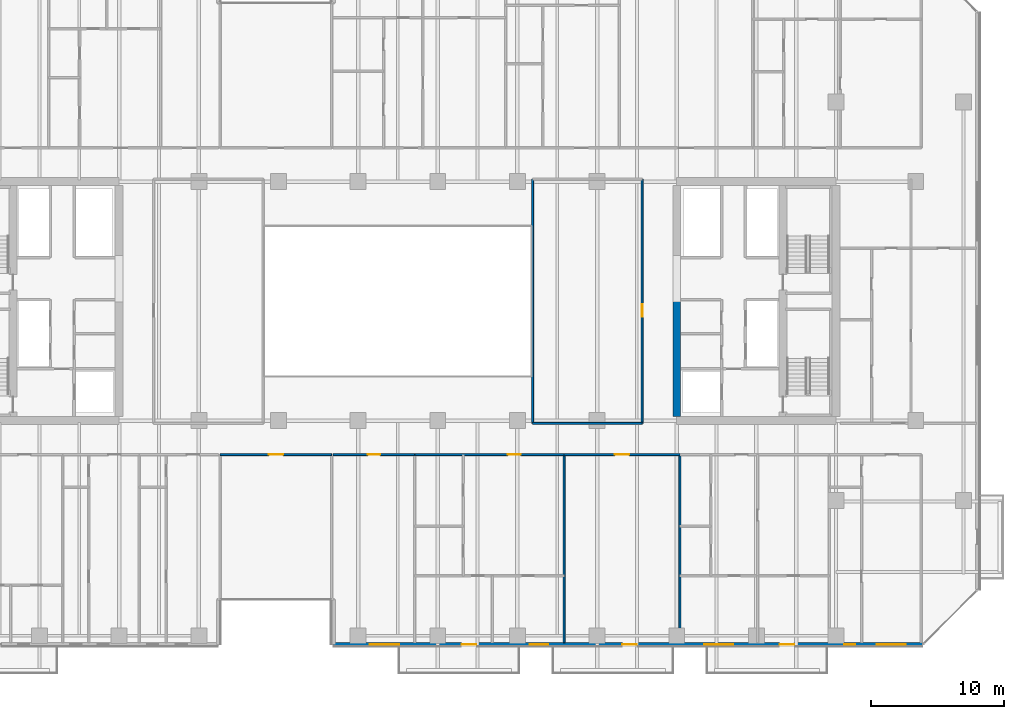
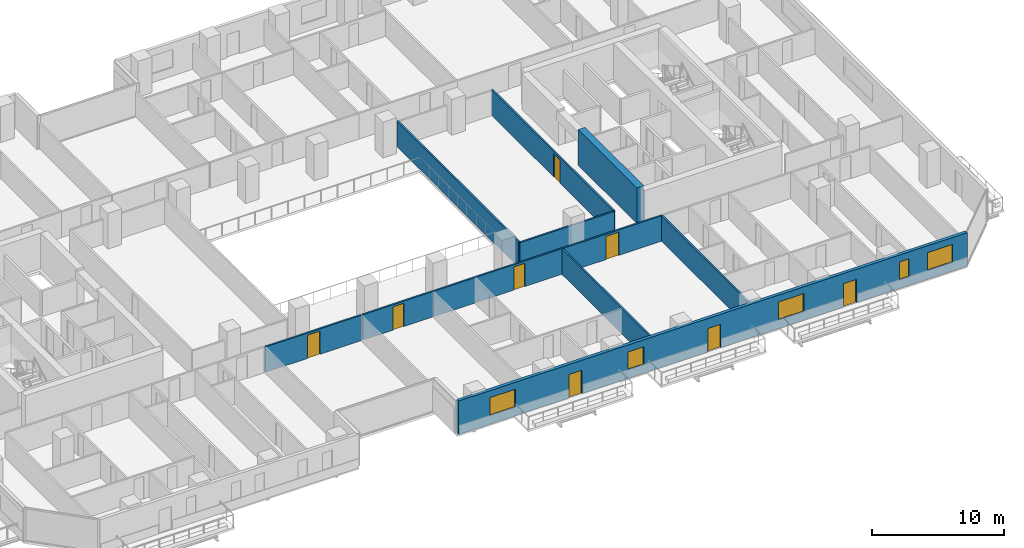
# One storey, part 19 of 33: 11 walls, 8 doors, 5 windows, 13 openings.
"""IFC4 building model written with IfcOpenShell, lengths in metres."""

from ifc_helpers import new_model, si_unit, direction, frame, frame_2d, origin, place, context, subcontext, project, spatial, rectangle, extrude, material, layer, layer_set, type_object, element, fill, save


model = new_model("IFC4")

# Units and contexts
model_context = context("Model", 3, precision=1e-05, world=origin(), true_north=direction((0.0, 1.0)))
body_context = subcontext(model_context, "Body", "Model", "MODEL_VIEW")
ifc_project = project(units=[si_unit("LENGTHUNIT", "METRE"), si_unit("AREAUNIT", "SQUARE_METRE"), si_unit("VOLUMEUNIT", "CUBIC_METRE"), si_unit("PLANEANGLEUNIT", "RADIAN"), si_unit("MASSUNIT", "GRAM", prefix="KILO")], contexts=[model_context])

# Site, building, storey
site_placement = place(None, origin())
site = spatial("IfcSite", under=ifc_project, at=site_placement, CompositionType="ELEMENT")
building_placement = place(site_placement, origin())
building = spatial("IfcBuilding", under=site, at=building_placement, Name="Tanjung Sevakor Pilgrim Tower", CompositionType="ELEMENT")
storey_placement = place(building_placement, frame((0.0, 0.0, 38.93994140625)))
storey = spatial("IfcBuildingStorey", under=building, at=storey_placement, Name="L10", CompositionType="ELEMENT", Elevation=38.93994140625)

# Walls
ifc_material_1 = material(Name="Concrete C60/75", Category="concrete")
ifc_layer_1 = layer(ifc_material_1, 0.60009765625)
ifc_layer_set_1 = layer_set([ifc_layer_1], Name="WALL-CW-600")
wall_type_1 = type_object("IfcWallType", Name="WALL-CW-600", PredefinedType="SHEAR", material=ifc_layer_set_1)
wall_1_placement = place(storey_placement, frame((78.0, 24.89990234375, 0.0), z_axis=(0.0, 0.0, 1.0), x_axis=(0.0, 1.0, 0.0)))
element("IfcWall", 1, at=wall_1_placement, inside=storey, type_object=wall_type_1, Name="L10 E Core Inner Shear Wall South", PredefinedType="SHEAR", context=body_context, shape_type="SweptSolid", body=[
    extrude(rectangle(XDim=8.900146484375, YDim=0.60009765625, at=frame_2d((4.4501953125, 0.0))), origin(), (0.0, 0.0, 1.0), 3.300048828125),
])
ifc_material_2 = material(Name="Concrete C40/50", Category="concrete")
ifc_layer_2 = layer(ifc_material_2, 0.14990234375)
ifc_layer_set_2 = layer_set([ifc_layer_2], Name="WT-COMP-150")
wall_type_2 = type_object("IfcWallType", Name="WT-COMP-150", PredefinedType="SOLIDWALL", material=ifc_layer_set_2)
wall_2_placement = place(storey_placement, frame((67.14990234375, 24.39990234375, 0.0), z_axis=(0.0, 0.0, 1.0), x_axis=(1.0, 0.0, 0.0)))
element("IfcWall", 2, at=wall_2_placement, inside=storey, type_object=wall_type_2, Name="L10 Partition IW-L10-027", PredefinedType="SOLIDWALL", context=body_context, shape_type="SweptSolid", body=[
    extrude(rectangle(XDim=8.25, YDim=0.14990234375, at=frame_2d((4.125, 0.0))), origin(), (0.0, 0.0, 1.0), 2.295166015625),
])
wall_3_placement = place(storey_placement, frame((67.14990234375, 24.39990234375, 0.0), z_axis=(0.0, 0.0, 1.0), x_axis=(0.0, 1.0, 0.0)))
element("IfcWall", 3, at=wall_3_placement, inside=storey, type_object=wall_type_2, Name="L10 Partition IW-L10-029", PredefinedType="SOLIDWALL", context=body_context, shape_type="SweptSolid", body=[
    extrude(rectangle(XDim=18.400146484375, YDim=0.14990234375, at=frame_2d((9.2001953125, 0.0))), origin(), (0.0, 0.0, 1.0), 2.35009765625),
])

# Wall, opening, door
wall_4_placement = place(storey_placement, frame((75.39990234375, 24.39990234375, 0.0), z_axis=(0.0, 0.0, 1.0), x_axis=(0.0, 1.0, 0.0)))
wall_4 = element("IfcWall", 4, at=wall_4_placement, inside=storey, type_object=wall_type_2, Name="L10 Partition IW-L10-030", PredefinedType="SOLIDWALL", context=body_context, shape_type="SweptSolid", body=[
    extrude(rectangle(XDim=18.400146484375, YDim=0.14990234375, at=frame_2d((9.2001953125, 0.0))), origin(), (0.0, 0.0, 1.0), 2.35009765625),
])
opening_1_placement = place(wall_4_placement, frame((8.02490234375, 0.0, 0.0)))
opening_1 = element("IfcOpeningElement", 5, at=opening_1_placement, cuts=wall_4, Name="Opening ID-RM1", PredefinedType="OPENING", context=body_context, shape_type="SweptSolid", body=[
    extrude(rectangle(XDim=0.949951171875, YDim=2.14990234375, at=frame_2d((0.47509765625, 1.074951171875))), frame((0.0, 0.0849609375, 0.0), z_axis=(0.0, -1.0, 0.0), x_axis=(1.0, 0.0, 0.0)), (0.0, 0.0, 1.0), 0.169921875),
])
ifc_material_3 = material(Name="Hardwood Timber", Category="wood")
door_type_1 = type_object("IfcDoorType", Name="DT-INT-950", OperationType="NOTDEFINED", PredefinedType="DOOR", material=ifc_material_3)
door_1_placement = place(opening_1_placement, origin())
door_1 = element("IfcDoor", 6, at=door_1_placement, inside=storey, type_object=door_type_1, Name="L10 Central East Room Door", OperationType="SINGLE_SWING_RIGHT", OverallHeight=2.14990234375, OverallWidth=0.949951171875, PredefinedType="DOOR", context=body_context, shape_type="SweptSolid", body=[
    extrude(rectangle(XDim=0.949951171875, YDim=2.14990234375, at=frame_2d((0.47509765625, 1.074951171875))), frame((0.0, 0.02490234375, 0.0), z_axis=(0.0, -1.0, 0.0), x_axis=(1.0, 0.0, 0.0)), (0.0, 0.0, 1.0), 0.050048828125),
])
fill(opening_1, door_1)

wall_5_placement = place(storey_placement, frame((43.60009765625, 22.050048828125, 0.0), z_axis=(0.0, 0.0, 1.0), x_axis=(1.0, 0.0, 0.0)))
wall_5 = element("IfcWall", 7, at=wall_5_placement, inside=storey, type_object=wall_type_2, Name="L10 Partition IW-L10-038", PredefinedType="SOLIDWALL", context=body_context, shape_type="SweptSolid", body=[
    extrude(rectangle(XDim=8.39990234375, YDim=0.14990234375, at=frame_2d((4.199951171875, 0.0))), origin(), (0.0, 0.0, 1.0), 2.35009765625),
])
opening_2_placement = place(wall_5_placement, frame((3.64990234375, 0.0, 0.0)))
opening_2 = element("IfcOpeningElement", 8, at=opening_2_placement, cuts=wall_5, Name="Opening ID-RM2", PredefinedType="OPENING", context=body_context, shape_type="SweptSolid", body=[
    extrude(rectangle(XDim=1.10009765625, YDim=2.14990234375, at=frame_2d((0.550048828125, 1.074951171875))), frame((0.0, 0.0849609375, 0.0), z_axis=(0.0, -1.0, 0.0), x_axis=(1.0, 0.0, 0.0)), (0.0, 0.0, 1.0), 0.169921875),
])
ifc_material_4 = material(Name="Hardwood Timber", Category="wood")
door_type_2 = type_object("IfcDoorType", Name="DT-INT-1100", OperationType="NOTDEFINED", PredefinedType="DOOR", material=ifc_material_4)
door_2_placement = place(opening_2_placement, origin())
door_2 = element("IfcDoor", 9, at=door_2_placement, inside=storey, type_object=door_type_2, Name="L10 South Cleft Observatory Door", OperationType="SINGLE_SWING_RIGHT", OverallHeight=2.14990234375, OverallWidth=1.10009765625, PredefinedType="DOOR", context=body_context, shape_type="SweptSolid", body=[
    extrude(rectangle(XDim=1.10009765625, YDim=2.14990234375, at=frame_2d((0.550048828125, 1.074951171875))), frame((0.0, 0.02490234375, 0.0), z_axis=(0.0, -1.0, 0.0), x_axis=(1.0, 0.0, 0.0)), (0.0, 0.0, 1.0), 0.050048828125),
])
fill(opening_2, door_2)

wall_6_placement = place(storey_placement, frame((52.1201171875, 22.050048828125, 0.0), z_axis=(0.0, 0.0, 1.0), x_axis=(1.0, 0.0, 0.0)))
wall_6 = element("IfcWall", 10, at=wall_6_placement, inside=storey, type_object=wall_type_2, Name="L10 Partition IW-L10-060", PredefinedType="SOLIDWALL", context=body_context, shape_type="SweptSolid", body=[
    extrude(rectangle(XDim=6.142822265625, YDim=0.14990234375, at=frame_2d((3.0712890625, 0.0))), origin(), (0.0, 0.0, 1.0), 2.35009765625),
])
opening_3_placement = place(wall_6_placement, frame((2.596435546875, 0.0, 0.0)))
opening_3 = element("IfcOpeningElement", 11, at=opening_3_placement, cuts=wall_6, Name="Opening ID-FD2", PredefinedType="OPENING", context=body_context, shape_type="SweptSolid", body=[
    extrude(rectangle(XDim=0.949951171875, YDim=2.14990234375, at=frame_2d((0.47509765625, 1.074951171875))), frame((0.0, 0.0849609375, 0.0), z_axis=(0.0, -1.0, 0.0), x_axis=(1.0, 0.0, 0.0)), (0.0, 0.0, 1.0), 0.169921875),
])
ifc_material_5 = material(Name="Fire-Rated Timber", Category="wood")
door_type_3 = type_object("IfcDoorType", Name="DT-FIRE-950", OperationType="NOTDEFINED", PredefinedType="DOOR", material=ifc_material_5)
door_3_placement = place(opening_3_placement, origin())
door_3 = element("IfcDoor", 12, at=door_3_placement, inside=storey, type_object=door_type_3, Name="Housekeeping Pantry Door", OperationType="SINGLE_SWING_LEFT", OverallHeight=2.14990234375, OverallWidth=0.949951171875, PredefinedType="DOOR", context=body_context, shape_type="SweptSolid", body=[
    extrude(rectangle(XDim=0.949951171875, YDim=2.14990234375, at=frame_2d((0.47509765625, 1.074951171875))), frame((0.0, 0.02490234375, 0.0), z_axis=(0.0, -1.0, 0.0), x_axis=(1.0, 0.0, 0.0)), (0.0, 0.0, 1.0), 0.050048828125),
])
fill(opening_3, door_3)

# Wall
wall_7_placement = place(storey_placement, frame((69.52490234375, 7.8798828125, 0.0), z_axis=(0.0, 0.0, 1.0), x_axis=(0.0, 1.0, 0.0)))
element("IfcWall", 13, at=wall_7_placement, inside=storey, type_object=wall_type_2, Name="L10 Partition IW-L10-061", PredefinedType="SOLIDWALL", context=body_context, shape_type="SweptSolid", body=[
    extrude(rectangle(XDim=14.170166015625, YDim=0.14990234375, at=frame_2d((7.0849609375, 0.0))), origin(), (0.0, 0.0, 1.0), 2.35009765625),
])

# Wall, opening, door
wall_8_placement = place(storey_placement, frame((58.262939453125, 22.050048828125, 0.0), z_axis=(0.0, 0.0, 1.0), x_axis=(1.0, 0.0, 0.0)))
wall_8 = element("IfcWall", 14, at=wall_8_placement, inside=storey, type_object=wall_type_2, Name="L10 Partition IW-L10-066", PredefinedType="SOLIDWALL", context=body_context, shape_type="SweptSolid", body=[
    extrude(rectangle(XDim=11.261962890625, YDim=0.14990234375, at=frame_2d((5.630859375, 0.0))), origin(), (0.0, 0.0, 1.0), 2.35009765625),
])
opening_4_placement = place(wall_8_placement, frame((7.0244140625, 0.0, 0.0)))
opening_4 = element("IfcOpeningElement", 15, at=opening_4_placement, cuts=wall_8, Name="Opening ID-FD2", PredefinedType="OPENING", context=body_context, shape_type="SweptSolid", body=[
    extrude(rectangle(XDim=0.949951171875, YDim=2.14990234375, at=frame_2d((0.47509765625, 1.074951171875))), frame((0.0, 0.0849609375, 0.0), z_axis=(0.0, -1.0, 0.0), x_axis=(1.0, 0.0, 0.0)), (0.0, 0.0, 1.0), 0.169921875),
])
door_4_placement = place(opening_4_placement, origin())
door_4 = element("IfcDoor", 16, at=door_4_placement, inside=storey, type_object=door_type_3, Name="Suite Entrance", OperationType="SINGLE_SWING_RIGHT", OverallHeight=2.14990234375, OverallWidth=0.949951171875, PredefinedType="DOOR", context=body_context, shape_type="SweptSolid", body=[
    extrude(rectangle(XDim=0.949951171875, YDim=2.14990234375, at=frame_2d((0.47509765625, 1.074951171875))), frame((0.0, 0.02490234375, 0.0), z_axis=(0.0, -1.0, 0.0), x_axis=(1.0, 0.0, 0.0)), (0.0, 0.0, 1.0), 0.050048828125),
])
fill(opening_4, door_4)

# Wall
wall_9_placement = place(storey_placement, frame((78.227294921875, 7.8798828125, 0.0), z_axis=(0.0, 0.0, 1.0), x_axis=(0.0, 1.0, 0.0)))
element("IfcWall", 17, at=wall_9_placement, inside=storey, type_object=wall_type_2, Name="L10 Partition IW-L10-067", PredefinedType="SOLIDWALL", context=body_context, shape_type="SweptSolid", body=[
    extrude(rectangle(XDim=14.170166015625, YDim=0.14990234375, at=frame_2d((7.0849609375, 0.0))), origin(), (0.0, 0.0, 1.0), 2.35009765625),
])

# Wall, opening, door
wall_10_placement = place(storey_placement, frame((69.52490234375, 22.050048828125, 0.0), z_axis=(0.0, 0.0, 1.0), x_axis=(1.0, 0.0, 0.0)))
wall_10 = element("IfcWall", 18, at=wall_10_placement, inside=storey, type_object=wall_type_2, Name="L10 Partition IW-L10-068", PredefinedType="SOLIDWALL", context=body_context, shape_type="SweptSolid", body=[
    extrude(rectangle(XDim=8.702392578125, YDim=0.14990234375, at=frame_2d((4.35107421875, 0.0))), origin(), (0.0, 0.0, 1.0), 2.35009765625),
])
opening_5_placement = place(wall_10_placement, frame((3.80126953125, 0.0, 0.0)))
opening_5 = element("IfcOpeningElement", 19, at=opening_5_placement, cuts=wall_10, Name="Opening ID-FD0", PredefinedType="OPENING", context=body_context, shape_type="SweptSolid", body=[
    extrude(rectangle(XDim=1.10009765625, YDim=2.14990234375, at=frame_2d((0.550048828125, 1.074951171875))), frame((0.0, 0.0849609375, 0.0), z_axis=(0.0, -1.0, 0.0), x_axis=(1.0, 0.0, 0.0)), (0.0, 0.0, 1.0), 0.169921875),
])
ifc_material_6 = material(Name="Fire-Rated Steel S355J2", Category="steel")
door_type_4 = type_object("IfcDoorType", Name="DT-FIRE-1100", OperationType="NOTDEFINED", PredefinedType="DOOR", material=ifc_material_6)
door_5_placement = place(opening_5_placement, origin())
door_5 = element("IfcDoor", 20, at=door_5_placement, inside=storey, type_object=door_type_4, Name="Communal Lounge Door", OperationType="SINGLE_SWING_LEFT", OverallHeight=2.14990234375, OverallWidth=1.10009765625, PredefinedType="DOOR", context=body_context, shape_type="SweptSolid", body=[
    extrude(rectangle(XDim=1.10009765625, YDim=2.14990234375, at=frame_2d((0.550048828125, 1.074951171875))), frame((0.0, 0.02490234375, 0.0), z_axis=(0.0, -1.0, 0.0), x_axis=(1.0, 0.0, 0.0)), (0.0, 0.0, 1.0), 0.050048828125),
])
fill(opening_5, door_5)

# Wall, openings, doors, windows
ifc_material_7 = material(Name="Precast concrete C45/55", Category="concrete")
ifc_layer_3 = layer(ifc_material_7, 0.280029296875)
ifc_layer_set_3 = layer_set([ifc_layer_3], Name="WT-EW-STN2")
wall_type_3 = type_object("IfcWallType", Name="WT-EW-STN2", PredefinedType="SOLIDWALL", material=ifc_layer_set_3)
wall_11_placement = place(storey_placement, frame((52.139892578125, 7.739990234375, 0.0), z_axis=(0.0, 0.0, 1.0), x_axis=(1.0, 0.0, 0.0)))
wall_11 = element("IfcWall", 21, at=wall_11_placement, inside=storey, type_object=wall_type_3, Name="L10 MAIN Exterior Wall 5", PredefinedType="SOLIDWALL", context=body_context, shape_type="SweptSolid", body=[
    extrude(rectangle(XDim=44.402099609375, YDim=0.280029296875, at=frame_2d((22.201171875, 0.0))), origin(), (0.0, 0.0, 1.0), 3.080078125),
])
opening_6_placement = place(wall_11_placement, frame((9.659912109375, 0.0, 0.0)))
opening_6 = element("IfcOpeningElement", 22, at=opening_6_placement, cuts=wall_11, Name="Opening ED-BAL-1100", PredefinedType="OPENING", context=body_context, shape_type="SweptSolid", body=[
    extrude(rectangle(XDim=1.10009765625, YDim=2.14990234375, at=frame_2d((0.550048828125, 1.074951171875))), frame((0.0, 0.14990234375, 0.0), z_axis=(0.0, -1.0, 0.0), x_axis=(1.0, 0.0, 0.0)), (0.0, 0.0, 1.0), 0.300048828125),
])
opening_7_placement = place(wall_11_placement, frame((21.760009765625, 0.0, 0.0)))
opening_7 = element("IfcOpeningElement", 23, at=opening_7_placement, cuts=wall_11, Name="Opening ED-BAL-1100", PredefinedType="OPENING", context=body_context, shape_type="SweptSolid", body=[
    extrude(rectangle(XDim=1.10009765625, YDim=2.14990234375, at=frame_2d((0.550048828125, 1.074951171875))), frame((0.0, 0.14990234375, 0.0), z_axis=(0.0, -1.0, 0.0), x_axis=(1.0, 0.0, 0.0)), (0.0, 0.0, 1.0), 0.300048828125),
])
opening_8_placement = place(wall_11_placement, frame((33.610107421875, 0.0, 0.0)))
opening_8 = element("IfcOpeningElement", 24, at=opening_8_placement, cuts=wall_11, Name="Opening ED-BAL-1100", PredefinedType="OPENING", context=body_context, shape_type="SweptSolid", body=[
    extrude(rectangle(XDim=1.10009765625, YDim=2.14990234375, at=frame_2d((0.550048828125, 1.074951171875))), frame((0.0, 0.14990234375, 0.0), z_axis=(0.0, -1.0, 0.0), x_axis=(1.0, 0.0, 0.0)), (0.0, 0.0, 1.0), 0.300048828125),
])
opening_9_placement = place(wall_11_placement, frame((2.75146484375, 0.0, 0.780029296875)))
opening_9 = element("IfcOpeningElement", 25, at=opening_9_placement, cuts=wall_11, Name="Opening WN-Z1-1660", PredefinedType="OPENING", context=body_context, shape_type="SweptSolid", body=[
    extrude(rectangle(XDim=2.199951171875, YDim=1.659912109375, at=frame_2d((1.10009765625, 0.830078125))), frame((0.0, 0.14990234375, 0.0), z_axis=(0.0, -1.0, 0.0), x_axis=(1.0, 0.0, 0.0)), (0.0, 0.0, 1.0), 0.300048828125),
])
opening_10_placement = place(wall_11_placement, frame((14.77197265625, 0.0, 0.780029296875)))
opening_10 = element("IfcOpeningElement", 26, at=opening_10_placement, cuts=wall_11, Name="Opening WN-END", PredefinedType="OPENING", context=body_context, shape_type="SweptSolid", body=[
    extrude(rectangle(XDim=1.39990234375, YDim=1.64990234375, at=frame_2d((0.699951171875, 0.824951171875))), frame((0.0, 0.14990234375, 0.0), z_axis=(0.0, -1.0, 0.0), x_axis=(1.0, 0.0, 0.0)), (0.0, 0.0, 1.0), 0.300048828125),
])
opening_11_placement = place(wall_11_placement, frame((27.92529296875, 0.0, 0.780029296875)))
opening_11 = element("IfcOpeningElement", 27, at=opening_11_placement, cuts=wall_11, Name="Opening WN-Z1-1660", PredefinedType="OPENING", context=body_context, shape_type="SweptSolid", body=[
    extrude(rectangle(XDim=2.199951171875, YDim=1.659912109375, at=frame_2d((1.10009765625, 0.830078125))), frame((0.0, 0.14990234375, 0.0), z_axis=(0.0, -1.0, 0.0), x_axis=(1.0, 0.0, 0.0)), (0.0, 0.0, 1.0), 0.300048828125),
])
opening_12_placement = place(wall_11_placement, frame((38.4697265625, 0.0, 0.780029296875)))
opening_12 = element("IfcOpeningElement", 28, at=opening_12_placement, cuts=wall_11, Name="Opening WN-SLM", PredefinedType="OPENING", context=body_context, shape_type="SweptSolid", body=[
    extrude(rectangle(XDim=0.85009765625, YDim=1.64990234375, at=frame_2d((0.425048828125, 0.824951171875))), frame((0.0, 0.14990234375, 0.0), z_axis=(0.0, -1.0, 0.0), x_axis=(1.0, 0.0, 0.0)), (0.0, 0.0, 1.0), 0.300048828125),
])
opening_13_placement = place(wall_11_placement, frame((40.909912109375, 0.0, 0.780029296875)))
opening_13 = element("IfcOpeningElement", 29, at=opening_13_placement, cuts=wall_11, Name="Opening WN-Z1-1660", PredefinedType="OPENING", context=body_context, shape_type="SweptSolid", body=[
    extrude(rectangle(XDim=2.199951171875, YDim=1.659912109375, at=frame_2d((1.10009765625, 0.830078125))), frame((0.0, 0.14990234375, 0.0), z_axis=(0.0, -1.0, 0.0), x_axis=(1.0, 0.0, 0.0)), (0.0, 0.0, 1.0), 0.300048828125),
])
ifc_material_8 = material(Name="Anodised Aluminium and Laminated Glass", Category="aluminium")
door_type_5 = type_object("IfcDoorType", Name="DTYP-ED-BAL-1100", OperationType="NOTDEFINED", PredefinedType="DOOR", material=ifc_material_8)
door_6_placement = place(opening_6_placement, frame((1.10009765625, 0.0, 0.0), z_axis=(0.0, 0.0, 1.0), x_axis=(-1.0, 0.0, 0.0)))
door_6 = element("IfcDoor", 30, at=door_6_placement, inside=storey, type_object=door_type_5, Name="L10 Balcony Door MAIN-S2", OperationType="SINGLE_SWING_LEFT", OverallHeight=2.14990234375, OverallWidth=1.10009765625, PredefinedType="DOOR", context=body_context, shape_type="SweptSolid", body=[
    extrude(rectangle(XDim=1.10009765625, YDim=2.14990234375, at=frame_2d((0.550048828125, 1.074951171875))), frame((0.0, 0.02490234375, 0.0), z_axis=(0.0, -1.0, 0.0), x_axis=(1.0, 0.0, 0.0)), (0.0, 0.0, 1.0), 0.050048828125),
])
fill(opening_6, door_6)
door_7_placement = place(opening_7_placement, frame((1.10009765625, 0.0, 0.0), z_axis=(0.0, 0.0, 1.0), x_axis=(-1.0, 0.0, 0.0)))
door_7 = element("IfcDoor", 31, at=door_7_placement, inside=storey, type_object=door_type_5, Name="L10 Balcony Door MAIN-S3", OperationType="SINGLE_SWING_RIGHT", OverallHeight=2.14990234375, OverallWidth=1.10009765625, PredefinedType="DOOR", context=body_context, shape_type="SweptSolid", body=[
    extrude(rectangle(XDim=1.10009765625, YDim=2.14990234375, at=frame_2d((0.550048828125, 1.074951171875))), frame((0.0, 0.02490234375, 0.0), z_axis=(0.0, -1.0, 0.0), x_axis=(1.0, 0.0, 0.0)), (0.0, 0.0, 1.0), 0.050048828125),
])
fill(opening_7, door_7)
door_8_placement = place(opening_8_placement, frame((1.10009765625, 0.0, 0.0), z_axis=(0.0, 0.0, 1.0), x_axis=(-1.0, 0.0, 0.0)))
door_8 = element("IfcDoor", 32, at=door_8_placement, inside=storey, type_object=door_type_5, Name="L10 Balcony Door MAIN-S4", OperationType="SINGLE_SWING_LEFT", OverallHeight=2.14990234375, OverallWidth=1.10009765625, PredefinedType="DOOR", context=body_context, shape_type="SweptSolid", body=[
    extrude(rectangle(XDim=1.10009765625, YDim=2.14990234375, at=frame_2d((0.550048828125, 1.074951171875))), frame((0.0, 0.02490234375, 0.0), z_axis=(0.0, -1.0, 0.0), x_axis=(1.0, 0.0, 0.0)), (0.0, 0.0, 1.0), 0.050048828125),
])
fill(opening_8, door_8)
ifc_material_9 = material(Name="Thermally Broken Aluminium and Low-E Glass", Category="aluminium")
window_type_1 = type_object("IfcWindowType", Name="WTYP-WN-END", PartitioningType="SINGLE_PANEL", PredefinedType="WINDOW", material=ifc_material_9)
window_1_placement = place(opening_10_placement, origin())
window_1 = element("IfcWindow", 33, at=window_1_placement, inside=storey, type_object=window_type_1, Name="L10 Facade Window 02", OverallHeight=1.64990234375, OverallWidth=1.39990234375, PartitioningType="SINGLE_PANEL", PredefinedType="WINDOW", context=body_context, shape_type="SweptSolid", body=[
    extrude(rectangle(XDim=1.39990234375, YDim=1.64990234375, at=frame_2d((0.699951171875, 0.824951171875))), frame((0.0, 0.030029296875, 0.0), z_axis=(0.0, -1.0, 0.0), x_axis=(1.0, 0.0, 0.0)), (0.0, 0.0, 1.0), 0.06005859375),
])
fill(opening_10, window_1)
ifc_material_10 = material(Name="Thermally Broken Aluminium and Low-E Glass", Category="aluminium")
window_type_2 = type_object("IfcWindowType", Name="WTYP-WN-SLM", PartitioningType="SINGLE_PANEL", PredefinedType="WINDOW", material=ifc_material_10)
window_2_placement = place(opening_12_placement, origin())
window_2 = element("IfcWindow", 34, at=window_2_placement, inside=storey, type_object=window_type_2, Name="L10 Facade Window 04", OverallHeight=1.64990234375, OverallWidth=0.85009765625, PartitioningType="SINGLE_PANEL", PredefinedType="WINDOW", context=body_context, shape_type="SweptSolid", body=[
    extrude(rectangle(XDim=0.85009765625, YDim=1.64990234375, at=frame_2d((0.425048828125, 0.824951171875))), frame((0.0, 0.030029296875, 0.0), z_axis=(0.0, -1.0, 0.0), x_axis=(1.0, 0.0, 0.0)), (0.0, 0.0, 1.0), 0.06005859375),
])
fill(opening_12, window_2)
ifc_material_11 = material(Name="Thermally Broken Aluminium and Low-E Glass", Category="aluminium")
window_type_3 = type_object("IfcWindowType", Name="WTYP-WN-Z1-1660", PartitioningType="DOUBLE_PANEL_VERTICAL", PredefinedType="WINDOW", material=ifc_material_11)
window_3_placement = place(opening_9_placement, origin())
window_3 = element("IfcWindow", 35, at=window_3_placement, inside=storey, type_object=window_type_3, Name="L10 Facade Window 01", OverallHeight=1.659912109375, OverallWidth=2.199951171875, PartitioningType="SINGLE_PANEL", PredefinedType="WINDOW", context=body_context, shape_type="SweptSolid", body=[
    extrude(rectangle(XDim=2.199951171875, YDim=1.659912109375, at=frame_2d((1.10009765625, 0.830078125))), frame((0.0, 0.030029296875, 0.0), z_axis=(0.0, -1.0, 0.0), x_axis=(1.0, 0.0, 0.0)), (0.0, 0.0, 1.0), 0.06005859375),
])
fill(opening_9, window_3)
window_4_placement = place(opening_11_placement, origin())
window_4 = element("IfcWindow", 36, at=window_4_placement, inside=storey, type_object=window_type_3, Name="L10 Facade Window 03", OverallHeight=1.659912109375, OverallWidth=2.199951171875, PartitioningType="SINGLE_PANEL", PredefinedType="WINDOW", context=body_context, shape_type="SweptSolid", body=[
    extrude(rectangle(XDim=2.199951171875, YDim=1.659912109375, at=frame_2d((1.10009765625, 0.830078125))), frame((0.0, 0.030029296875, 0.0), z_axis=(0.0, -1.0, 0.0), x_axis=(1.0, 0.0, 0.0)), (0.0, 0.0, 1.0), 0.06005859375),
])
fill(opening_11, window_4)
window_5_placement = place(opening_13_placement, origin())
window_5 = element("IfcWindow", 37, at=window_5_placement, inside=storey, type_object=window_type_3, Name="L10 Facade Window 05", OverallHeight=1.659912109375, OverallWidth=2.199951171875, PartitioningType="SINGLE_PANEL", PredefinedType="WINDOW", context=body_context, shape_type="SweptSolid", body=[
    extrude(rectangle(XDim=2.199951171875, YDim=1.659912109375, at=frame_2d((1.10009765625, 0.830078125))), frame((0.0, 0.030029296875, 0.0), z_axis=(0.0, -1.0, 0.0), x_axis=(1.0, 0.0, 0.0)), (0.0, 0.0, 1.0), 0.06005859375),
])
fill(opening_13, window_5)

save(model, "model.ifc")
